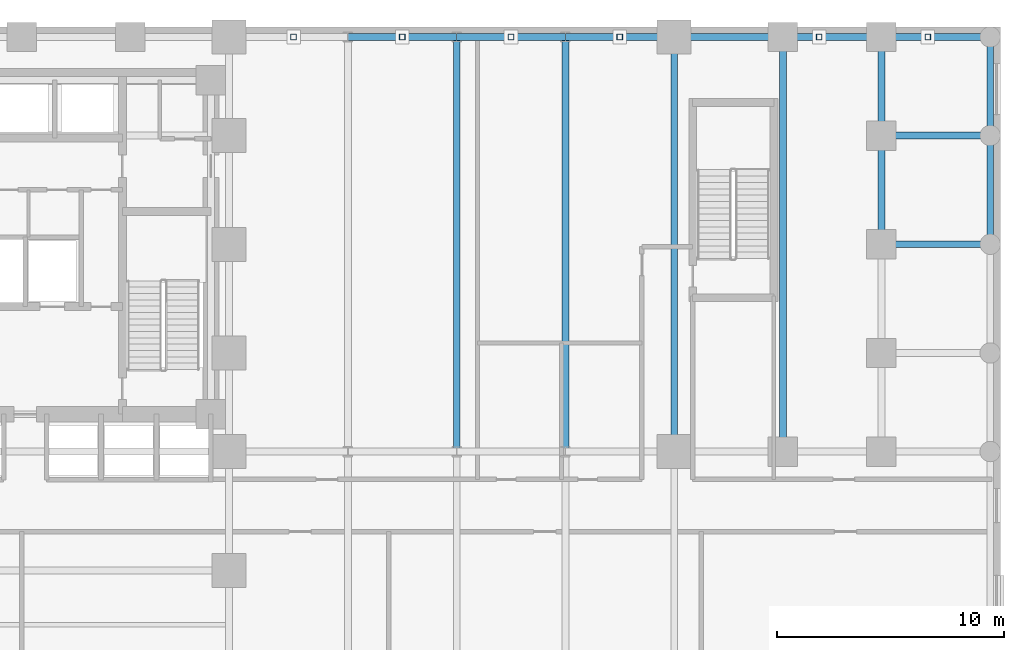
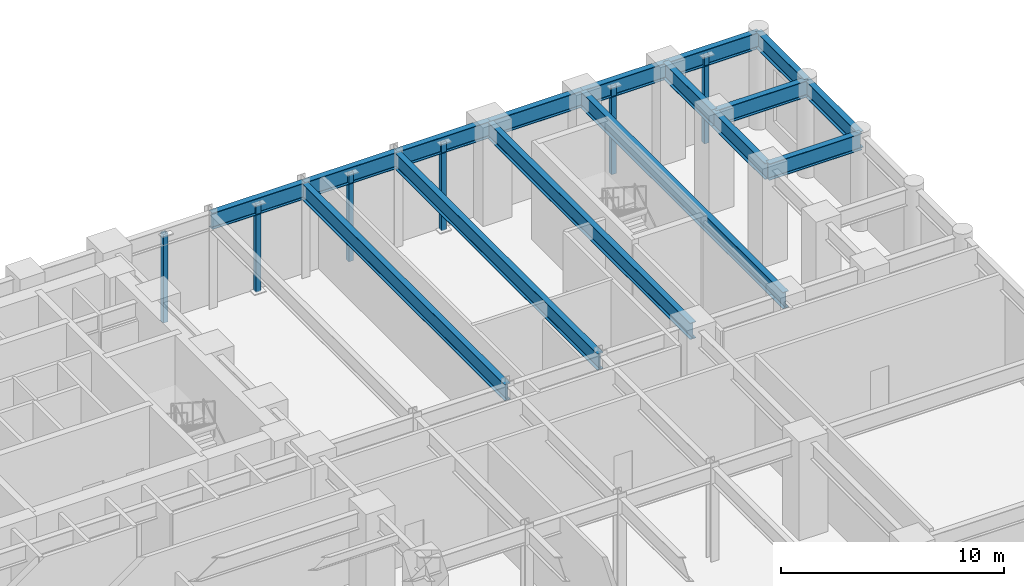
# One storey, part 3 of 10: 16 beams, 6 members.
"""IFC4 building model written with IfcOpenShell, lengths in metres."""

from ifc_helpers import new_model, si_unit, direction, frame, origin, origin_2d, place, context, subcontext, project, spatial, hollow_rectangle, i_section, extrude, material, material_profile, profile_set, type_object, element, save


model = new_model("IFC4")

# Units and contexts
model_context = context("Model", 3, precision=1e-05, world=origin(), true_north=direction((0.0, 1.0)))
body_context = subcontext(model_context, "Body", "Model", "MODEL_VIEW")
ifc_project = project(units=[si_unit("LENGTHUNIT", "METRE"), si_unit("AREAUNIT", "SQUARE_METRE"), si_unit("VOLUMEUNIT", "CUBIC_METRE"), si_unit("PLANEANGLEUNIT", "RADIAN"), si_unit("MASSUNIT", "GRAM", prefix="KILO")], contexts=[model_context])

# Site, building, storey
site_placement = place(None, origin())
site = spatial("IfcSite", under=ifc_project, at=site_placement, CompositionType="ELEMENT")
building_placement = place(site_placement, origin())
building = spatial("IfcBuilding", under=site, at=building_placement, Name="Orvandelia Arch Residences", CompositionType="ELEMENT")
storey_placement = place(building_placement, frame((0.0, 0.0, 19.60009765625)))
storey = spatial("IfcBuildingStorey", under=building, at=storey_placement, Name="L04", CompositionType="ELEMENT", Elevation=19.60009765625)

# Beams
ifc_material_1 = material(Name="Structural Steel HSA650 (650 MPa)", Category="steel")
ifc_material_profile_1 = material_profile(ifc_material_1, i_section(OverallWidth=0.300048828125, OverallDepth=0.89990234375, WebThickness=0.01611328125, FlangeThickness=0.028076171875, FilletRadius=0.028076171875, at=origin_2d()), Name="Structural Steel HSA650 (650 MPa)", Category="steel")
ifc_profile_set_1 = profile_set([ifc_material_profile_1], Name="Structural Steel HSA650 (650 MPa)")
beam_type = type_object("IfcBeamType", Name="BM-GRD-H900", PredefinedType="BEAM", material=ifc_profile_set_1)
for number, where, z_axis, x_axis, name in (
    (1, (33.60009765625, 29.25, 4.699951171875), (0.0, 1.0, 0.0), (-1.0, 0.0, 0.0), "Structural Frame Beam L04-NS-027"),
    (2, (38.39990234375, 29.25, 4.699951171875), (0.0, 1.0, 0.0), (-1.0, 0.0, 0.0), "Structural Frame Beam L04-NS-030"),
    (3, (43.199951171875, 29.25, 4.699951171875), (0.0, 1.0, 0.0), (-1.0, 0.0, 0.0), "Structural Frame Beam L04-NS-033"),
    (4, (48.0, 29.25, 4.699951171875), (0.0, 1.0, 0.0), (-1.0, 0.0, 0.0), "Structural Frame Beam L04-NS-034"),
):
    element("IfcBeam", number, at=place(storey_placement, frame(where, z_axis=z_axis, x_axis=x_axis)), inside=storey, type_object=beam_type, Name=name, PredefinedType="BEAM", context=body_context, shape_type="SweptSolid", body=[
        extrude(i_section(OverallWidth=0.300048828125, OverallDepth=0.89990234375, WebThickness=0.01611328125, FlangeThickness=0.028076171875, FilletRadius=0.028076171875, at=origin_2d()), origin(), (0.0, 0.0, 1.0), 18.300048828125),
    ])
beam_1_placement = place(storey_placement, frame((52.35009765625, 38.39990234375, 4.699951171875), z_axis=(0.0, 1.0, 0.0), x_axis=(-1.0, 0.0, 0.0)))
element("IfcBeam", 5, at=beam_1_placement, inside=storey, type_object=beam_type, Name="Structural Frame Beam L04-NS-037", PredefinedType="BEAM", context=body_context, shape_type="SweptSolid", body=[
    extrude(i_section(OverallWidth=0.300048828125, OverallDepth=0.89990234375, WebThickness=0.01611328125, FlangeThickness=0.028076171875, FilletRadius=0.028076171875, at=origin_2d()), origin(), (0.0, 0.0, 1.0), 4.800048828125),
])
beam_2_placement = place(storey_placement, frame((52.35009765625, 43.199951171875, 4.699951171875), z_axis=(0.0, 1.0, 0.0), x_axis=(-1.0, 0.0, 0.0)))
element("IfcBeam", 6, at=beam_2_placement, inside=storey, type_object=beam_type, Name="Structural Frame Beam L04-NS-038", PredefinedType="BEAM", context=body_context, shape_type="SweptSolid", body=[
    extrude(i_section(OverallWidth=0.300048828125, OverallDepth=0.89990234375, WebThickness=0.01611328125, FlangeThickness=0.028076171875, FilletRadius=0.028076171875, at=origin_2d()), origin(), (0.0, 0.0, 1.0), 4.35009765625),
])
beam_3_placement = place(storey_placement, frame((57.14990234375, 38.39990234375, 4.699951171875), z_axis=(0.0, 1.0, 0.0), x_axis=(-1.0, 0.0, 0.0)))
element("IfcBeam", 7, at=beam_3_placement, inside=storey, type_object=beam_type, Name="Structural Frame Beam L04-NS-043", PredefinedType="BEAM", context=body_context, shape_type="SweptSolid", body=[
    extrude(i_section(OverallWidth=0.300048828125, OverallDepth=0.89990234375, WebThickness=0.01611328125, FlangeThickness=0.028076171875, FilletRadius=0.028076171875, at=origin_2d()), origin(), (0.0, 0.0, 1.0), 4.800048828125),
])
beam_4_placement = place(storey_placement, frame((57.14990234375, 43.199951171875, 4.699951171875), z_axis=(0.0, 1.0, 0.0), x_axis=(-1.0, 0.0, 0.0)))
element("IfcBeam", 8, at=beam_4_placement, inside=storey, type_object=beam_type, Name="Structural Frame Beam L04-NS-044", PredefinedType="BEAM", context=body_context, shape_type="SweptSolid", body=[
    extrude(i_section(OverallWidth=0.300048828125, OverallDepth=0.89990234375, WebThickness=0.01611328125, FlangeThickness=0.028076171875, FilletRadius=0.028076171875, at=origin_2d()), origin(), (0.0, 0.0, 1.0), 4.35009765625),
])
for number, where, z_axis, x_axis, name in (
    (9, (52.35009765625, 38.39990234375, 4.699951171875), (1.0, 0.0, 0.0), (0.0, 1.0, 0.0), "Structural Frame Girder L04-EW-077"),
    (10, (52.35009765625, 43.199951171875, 4.699951171875), (1.0, 0.0, 0.0), (0.0, 1.0, 0.0), "Structural Frame Girder L04-EW-079"),
):
    element("IfcBeam", number, at=place(storey_placement, frame(where, z_axis=z_axis, x_axis=x_axis)), inside=storey, type_object=beam_type, Name=name, PredefinedType="BEAM", context=body_context, shape_type="SweptSolid", body=[
        extrude(i_section(OverallWidth=0.300048828125, OverallDepth=0.89990234375, WebThickness=0.01611328125, FlangeThickness=0.028076171875, FilletRadius=0.028076171875, at=origin_2d()), origin(), (0.0, 0.0, 1.0), 4.7998046875),
    ])
beam_5_placement = place(storey_placement, frame((28.800048828125, 47.550048828125, 4.699951171875), z_axis=(1.0, 0.0, 0.0), x_axis=(0.0, 1.0, 0.0)))
element("IfcBeam", 11, at=beam_5_placement, inside=storey, type_object=beam_type, Name="Structural Frame Girder L04-EW-086", PredefinedType="BEAM", context=body_context, shape_type="SweptSolid", body=[
    extrude(i_section(OverallWidth=0.300048828125, OverallDepth=0.89990234375, WebThickness=0.01611328125, FlangeThickness=0.028076171875, FilletRadius=0.028076171875, at=origin_2d()), origin(), (0.0, 0.0, 1.0), 4.800048828125),
])
beam_6_placement = place(storey_placement, frame((33.60009765625, 47.550048828125, 4.699951171875), z_axis=(1.0, 0.0, 0.0), x_axis=(0.0, 1.0, 0.0)))
element("IfcBeam", 12, at=beam_6_placement, inside=storey, type_object=beam_type, Name="Structural Frame Girder L04-EW-087", PredefinedType="BEAM", context=body_context, shape_type="SweptSolid", body=[
    extrude(i_section(OverallWidth=0.300048828125, OverallDepth=0.89990234375, WebThickness=0.01611328125, FlangeThickness=0.028076171875, FilletRadius=0.028076171875, at=origin_2d()), origin(), (0.0, 0.0, 1.0), 4.7998046875),
])
for number, where, z_axis, x_axis, name in (
    (13, (38.39990234375, 47.550048828125, 4.699951171875), (1.0, 0.0, 0.0), (0.0, 1.0, 0.0), "Structural Frame Girder L04-EW-088"),
    (14, (43.199951171875, 47.550048828125, 4.699951171875), (1.0, 0.0, 0.0), (0.0, 1.0, 0.0), "Structural Frame Girder L04-EW-089"),
):
    element("IfcBeam", number, at=place(storey_placement, frame(where, z_axis=z_axis, x_axis=x_axis)), inside=storey, type_object=beam_type, Name=name, PredefinedType="BEAM", context=body_context, shape_type="SweptSolid", body=[
        extrude(i_section(OverallWidth=0.300048828125, OverallDepth=0.89990234375, WebThickness=0.01611328125, FlangeThickness=0.028076171875, FilletRadius=0.028076171875, at=origin_2d()), origin(), (0.0, 0.0, 1.0), 4.800048828125),
    ])
beam_7_placement = place(storey_placement, frame((48.0, 47.550048828125, 4.699951171875), z_axis=(1.0, 0.0, 0.0), x_axis=(0.0, 1.0, 0.0)))
element("IfcBeam", 15, at=beam_7_placement, inside=storey, type_object=beam_type, Name="Structural Frame Girder L04-EW-090", PredefinedType="BEAM", context=body_context, shape_type="SweptSolid", body=[
    extrude(i_section(OverallWidth=0.300048828125, OverallDepth=0.89990234375, WebThickness=0.01611328125, FlangeThickness=0.028076171875, FilletRadius=0.028076171875, at=origin_2d()), origin(), (0.0, 0.0, 1.0), 4.35009765625),
])
beam_8_placement = place(storey_placement, frame((52.35009765625, 47.550048828125, 4.699951171875), z_axis=(1.0, 0.0, 0.0), x_axis=(0.0, 1.0, 0.0)))
element("IfcBeam", 16, at=beam_8_placement, inside=storey, type_object=beam_type, Name="Structural Frame Girder L04-EW-091", PredefinedType="BEAM", context=body_context, shape_type="SweptSolid", body=[
    extrude(i_section(OverallWidth=0.300048828125, OverallDepth=0.89990234375, WebThickness=0.01611328125, FlangeThickness=0.028076171875, FilletRadius=0.028076171875, at=origin_2d()), origin(), (0.0, 0.0, 1.0), 4.7998046875),
])

# Members
ifc_material_2 = material(Name="Structural Steel SM355 (355 MPa)", Category="steel")
ifc_material_profile_2 = material_profile(ifc_material_2, hollow_rectangle(XDim=0.25, YDim=0.25, WallThickness=0.011962890625, at=origin_2d()), Name="Structural Steel SM355 (355 MPa)", Category="steel")
ifc_profile_set_2 = profile_set([ifc_material_profile_2], Name="Structural Steel SM355 (355 MPa)")
member_type = type_object("IfcMemberType", Name="MBR-BRG-POST", PredefinedType="POST", material=ifc_profile_set_2)
for number, where, z_axis, x_axis, name in (
    (17, (26.39990234375, 47.550048828125, 0.0), (0.0, 0.0, 1.0), (1.0, 0.0, 0.0), "Transfer Deck Stiffener Post BP-1"),
    (18, (31.199951171875, 47.550048828125, 0.0), (0.0, 0.0, 1.0), (1.0, 0.0, 0.0), "Transfer Deck Stiffener Post BP-2"),
    (19, (36.0, 47.550048828125, 0.0), (0.0, 0.0, 1.0), (1.0, 0.0, 0.0), "Transfer Deck Stiffener Post BP-3"),
    (20, (40.800048828125, 47.550048828125, 0.0), (0.0, 0.0, 1.0), (1.0, 0.0, 0.0), "Transfer Deck Stiffener Post BP-4"),
    (21, (49.60009765625, 47.550048828125, 0.0), (0.0, 0.0, 1.0), (1.0, 0.0, 0.0), "Transfer Deck Stiffener Post BP-5"),
    (22, (54.39990234375, 47.550048828125, 0.0), (0.0, 0.0, 1.0), (1.0, 0.0, 0.0), "Transfer Deck Stiffener Post BP-6"),
):
    element("IfcMember", number, at=place(storey_placement, frame(where, z_axis=z_axis, x_axis=x_axis)), inside=storey, type_object=member_type, Name=name, PredefinedType="POST", context=body_context, shape_type="SweptSolid", body=[
        extrude(hollow_rectangle(XDim=0.25, YDim=0.25, WallThickness=0.011962890625, at=origin_2d()), origin(), (0.0, 0.0, 1.0), 4.849853515625),
    ])

save(model, "model.ifc")
